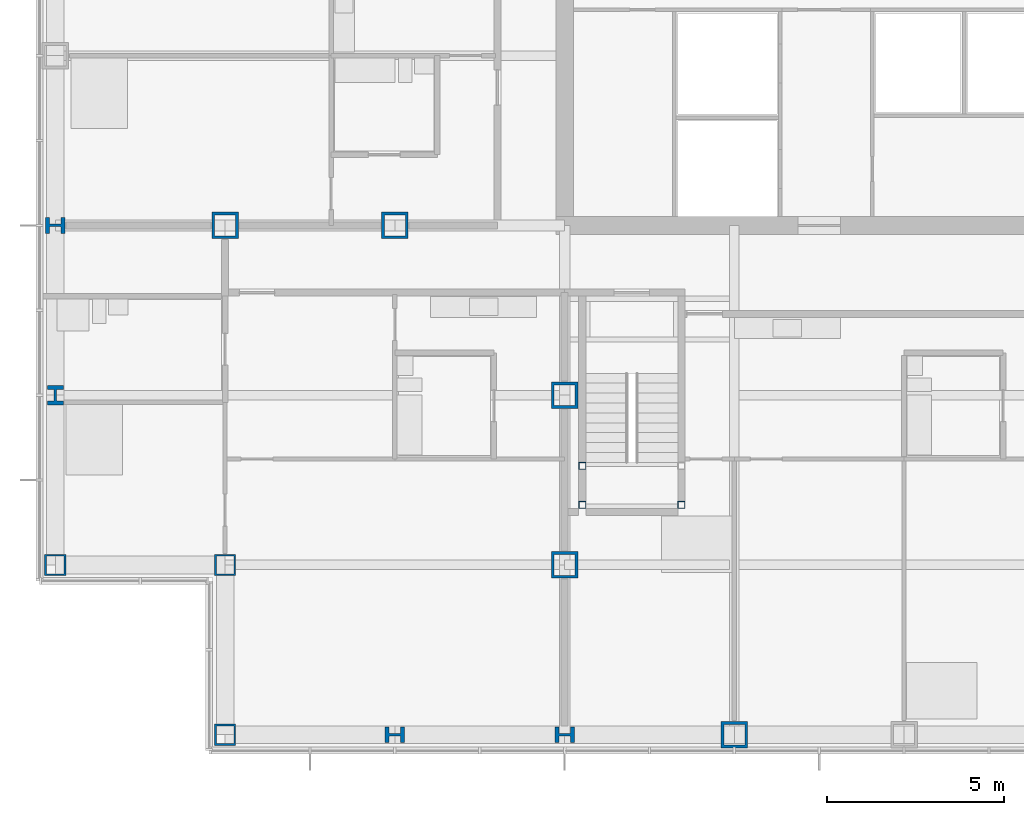
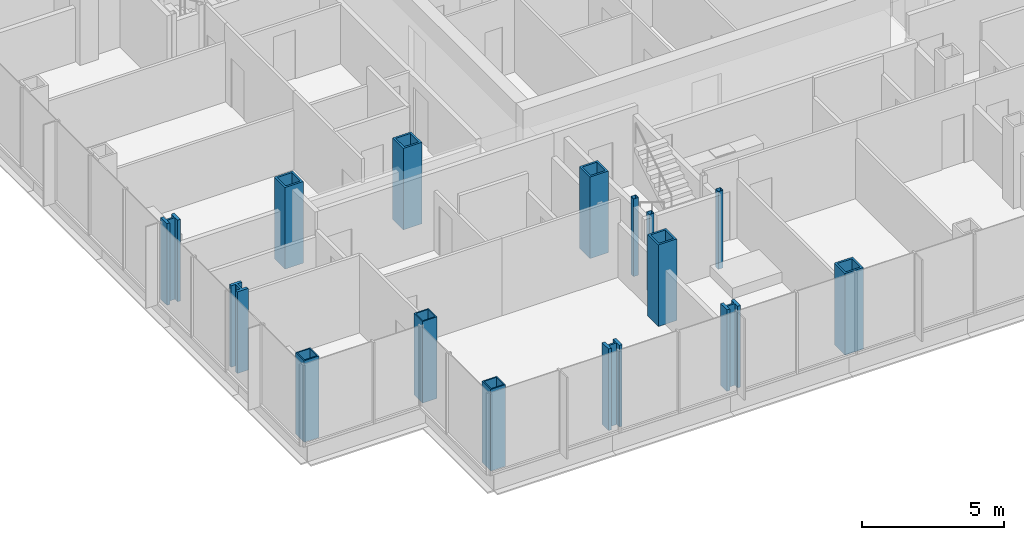
# One storey, part 1 of 21: 15 columns.
"""IFC4 building model written with IfcOpenShell, lengths in metres."""

from ifc_helpers import new_model, si_unit, direction, frame, origin, origin_2d, place, context, subcontext, project, spatial, hollow_rectangle, i_section, extrude, material, material_profile, profile_set, type_object, element, save


model = new_model("IFC4")

# Units and contexts
model_context = context("Model", 3, precision=1e-05, world=origin(), true_north=direction((0.0, 1.0)))
body_context = subcontext(model_context, "Body", "Model", "MODEL_VIEW")
ifc_project = project(units=[si_unit("LENGTHUNIT", "METRE"), si_unit("AREAUNIT", "SQUARE_METRE"), si_unit("VOLUMEUNIT", "CUBIC_METRE"), si_unit("PLANEANGLEUNIT", "RADIAN"), si_unit("MASSUNIT", "GRAM", prefix="KILO")], contexts=[model_context])

# Site, building, storey
site_placement = place(None, origin())
site = spatial("IfcSite", under=ifc_project, at=site_placement, CompositionType="ELEMENT")
building_placement = place(site_placement, origin())
building = spatial("IfcBuilding", under=site, at=building_placement, Name="Kvirike Care Tower", CompositionType="ELEMENT")
storey_placement = place(building_placement, frame((0.0, 0.0, 58.5)))
storey = spatial("IfcBuildingStorey", under=building, at=storey_placement, Name="L15", CompositionType="ELEMENT", Elevation=58.5)

# Columns
ifc_material_1 = material(Name="Steel S460", Category="steel")
ifc_material_profile_1 = material_profile(ifc_material_1, hollow_rectangle(XDim=0.60009765625, YDim=0.60009765625, WallThickness=0.050048828125, at=origin_2d()), Name="BX 600x600x50")
ifc_profile_set_1 = profile_set([ifc_material_profile_1], Name="Steel S460")
column_type_1 = type_object("IfcColumnType", Name="COLUMN BX 600x600x50", PredefinedType="COLUMN", material=ifc_profile_set_1)
for number, where, z_axis, x_axis, name in (
    (1, (0.0, 19.199951171875, 0.0), (0.0, 0.0, 1.0), (0.0, 1.0, 0.0), "Column E3 L15"),
    (2, (4.800048828125, 14.39990234375, 0.0), (0.0, 0.0, 1.0), (0.0, 1.0, 0.0), "Column D4 L15"),
    (3, (4.800048828125, 19.199951171875, 0.0), (0.0, 0.0, 1.0), (0.0, 1.0, 0.0), "Column E4 L15"),
):
    element("IfcColumn", number, at=place(storey_placement, frame(where, z_axis=z_axis, x_axis=x_axis)), inside=storey, type_object=column_type_1, Name=name, PredefinedType="COLUMN", context=body_context, shape_type="SweptSolid", body=[
        extrude(hollow_rectangle(XDim=0.60009765625, YDim=0.60009765625, WallThickness=0.050048828125, at=origin_2d()), origin(), (0.0, 0.0, 1.0), 3.5),
    ])
ifc_material_2 = material(Name="Steel S460", Category="steel")
ifc_material_profile_2 = material_profile(ifc_material_2, hollow_rectangle(XDim=0.75, YDim=0.75, WallThickness=0.080078125, at=origin_2d()), Name="BX 750x750x80")
ifc_profile_set_2 = profile_set([ifc_material_profile_2], Name="Steel S460")
column_type_2 = type_object("IfcColumnType", Name="COLUMN BX 750x750x80", PredefinedType="COLUMN", material=ifc_profile_set_2)
for number, where, z_axis, x_axis, name in (
    (4, (4.800048828125, 28.800048828125, 0.0), (0.0, 0.0, 1.0), (0.0, 1.0, 0.0), "Column G4 L15"),
    (5, (9.60009765625, 28.800048828125, 0.0), (0.0, 0.0, 1.0), (0.0, 1.0, 0.0), "Column G5 L15"),
    (6, (14.39990234375, 19.199951171875, 0.0), (0.0, 0.0, 1.0), (1.0, 0.0, 0.0), "Column E6 L15"),
    (7, (14.39990234375, 24.0, 0.0), (0.0, 0.0, 1.0), (1.0, 0.0, 0.0), "Column F6 L15"),
    (8, (19.199951171875, 14.39990234375, 0.0), (0.0, 0.0, 1.0), (0.0, 1.0, 0.0), "Column D7 L15"),
):
    element("IfcColumn", number, at=place(storey_placement, frame(where, z_axis=z_axis, x_axis=x_axis)), inside=storey, type_object=column_type_2, Name=name, PredefinedType="COLUMN", context=body_context, shape_type="SweptSolid", body=[
        extrude(hollow_rectangle(XDim=0.75, YDim=0.75, WallThickness=0.080078125, at=origin_2d()), origin(), (0.0, 0.0, 1.0), 3.5),
    ])
ifc_material_3 = material(Name="Steel S460", Category="steel")
ifc_material_profile_3 = material_profile(ifc_material_3, i_section(OverallWidth=0.447998046875, OverallDepth=0.550048828125, WebThickness=0.072021484375, FlangeThickness=0.114990234375, FilletRadius=0.014892578125, at=origin_2d()), Name="HD 400x990")
ifc_profile_set_3 = profile_set([ifc_material_profile_3], Name="Steel S460")
column_type_3 = type_object("IfcColumnType", Name="COLUMN HD 400x990", PredefinedType="COLUMN", material=ifc_profile_set_3)
for number, where, z_axis, x_axis, name in (
    (9, (0.0, 24.0, 0.0), (0.0, 0.0, 1.0), (1.0, 0.0, 0.0), "Column F3 L15"),
    (10, (0.0, 28.800048828125, 0.0), (0.0, 0.0, 1.0), (0.0, 1.0, 0.0), "Column G3 L15"),
    (11, (9.60009765625, 14.39990234375, 0.0), (0.0, 0.0, 1.0), (0.0, 1.0, 0.0), "Column D5 L15"),
    (12, (14.39990234375, 14.39990234375, 0.0), (0.0, 0.0, 1.0), (0.0, 1.0, 0.0), "Column D6 L15"),
):
    element("IfcColumn", number, at=place(storey_placement, frame(where, z_axis=z_axis, x_axis=x_axis)), inside=storey, type_object=column_type_3, Name=name, PredefinedType="COLUMN", context=body_context, shape_type="SweptSolid", body=[
        extrude(i_section(OverallWidth=0.447998046875, OverallDepth=0.550048828125, WebThickness=0.072021484375, FlangeThickness=0.114990234375, FilletRadius=0.014892578125, at=origin_2d()), origin(), (0.0, 0.0, 1.0), 3.5),
    ])
ifc_material_4 = material(Name="Steel S460", Category="steel")
ifc_material_profile_4 = material_profile(ifc_material_4, hollow_rectangle(XDim=0.199951171875, YDim=0.199951171875, WallThickness=0.008056640625, at=origin_2d()), Name="SHS 200x200x8")
ifc_profile_set_4 = profile_set([ifc_material_profile_4], Name="Steel S460")
column_type_4 = type_object("IfcColumnType", Name="STAIR POST SHS 200x200x8", PredefinedType="COLUMN", material=ifc_profile_set_4)
for number, where, z_axis, x_axis, name in (
    (13, (14.89990234375, 20.89990234375, 0.0), (0.0, 0.0, 1.0), (1.0, 0.0, 0.0), "Stair 5 post 1 L15"),
    (14, (17.699951171875, 20.89990234375, 0.0), (0.0, 0.0, 1.0), (1.0, 0.0, 0.0), "Stair 5 post 2 L15"),
    (15, (14.89990234375, 22.0, 0.0), (0.0, 0.0, 1.0), (1.0, 0.0, 0.0), "Stair 5 post 3 L15"),
):
    element("IfcColumn", number, at=place(storey_placement, frame(where, z_axis=z_axis, x_axis=x_axis)), inside=storey, type_object=column_type_4, Name=name, PredefinedType="COLUMN", context=body_context, shape_type="SweptSolid", body=[
        extrude(hollow_rectangle(XDim=0.199951171875, YDim=0.199951171875, WallThickness=0.008056640625, at=origin_2d()), origin(), (0.0, 0.0, 1.0), 3.330078125),
    ])

save(model, "model.ifc")
